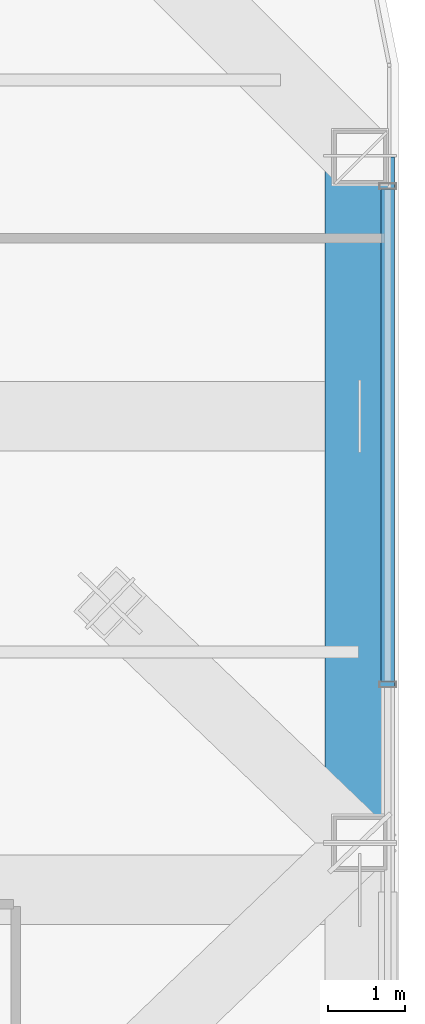
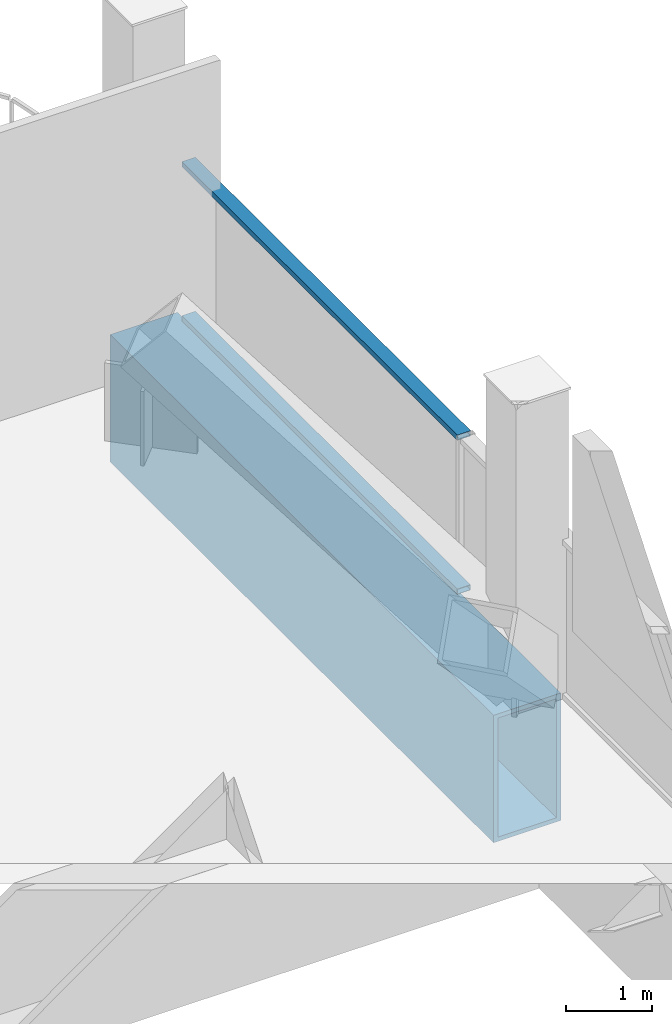
# One storey, part 10 of 19: 2 members, 1 beam, 1 element without a shape of its own.
"""IFC4 building model written with IfcOpenShell, lengths in metres."""

from ifc_helpers import new_model, si_unit, direction, frame, origin, origin_2d, place, context, subcontext, project, spatial, hollow_rectangle, extrude, material, layer, layer_set, material_profile, profile_set, type_object, element, aggregate, save


model = new_model("IFC4")

# Units and contexts
model_context = context("Model", 3, precision=1e-05, world=origin(), true_north=direction((0.0, 1.0)))
body_context = subcontext(model_context, "Body", "Model", "MODEL_VIEW")
ifc_project = project(units=[si_unit("LENGTHUNIT", "METRE"), si_unit("AREAUNIT", "SQUARE_METRE"), si_unit("VOLUMEUNIT", "CUBIC_METRE"), si_unit("PLANEANGLEUNIT", "RADIAN"), si_unit("MASSUNIT", "GRAM", prefix="KILO")], contexts=[model_context])

# Site, building, storey
site_placement = place(None, origin())
site = spatial("IfcSite", under=ifc_project, at=site_placement, CompositionType="ELEMENT")
building_placement = place(site_placement, origin())
building = spatial("IfcBuilding", under=site, at=building_placement, Name="Qhalaya Broadcast Tower", CompositionType="ELEMENT")
storey_placement = place(building_placement, frame((0.0, 0.0, 226.949951171875)))
storey = spatial("IfcBuildingStorey", under=building, at=storey_placement, Name="L67", CompositionType="ELEMENT", Elevation=226.949951171875)

# Beam
ifc_material_1 = material(Name="Structural Steel ASTM A572 Grade 50", Category="steel")
ifc_material_profile_1 = material_profile(ifc_material_1, hollow_rectangle(XDim=0.89990234375, YDim=1.800048828125, WallThickness=0.06005859375, at=origin_2d()), Name="BOX 900x1800x60")
ifc_profile_set_1 = profile_set([ifc_material_profile_1], Name="Structural Steel ASTM A572 Grade 50")
beam_type = type_object("IfcBeamType", Name="Block Cantilever Transfer Box Girder TG1", PredefinedType="USERDEFINED", material=ifc_profile_set_1)
beam_placement = place(storey_placement, frame((19.0, 4.433349609375, -1.08984375), z_axis=(0.0, 1.0, 0.0), x_axis=(-1.0, 0.0, 0.0)))
element("IfcBeam", 1, at=beam_placement, inside=storey, type_object=beam_type, Name="L67 TG1 L67-SPR-07", ObjectType="GIRDER", PredefinedType="USERDEFINED", context=body_context, shape_type="SweptSolid", body=[
    extrude(hollow_rectangle(XDim=0.89990234375, YDim=1.800048828125, WallThickness=0.06005859375, at=origin_2d()), origin(), (0.0, 0.0, 1.0), 8.86669921875),
])

# Curtain wall, members
ifc_material_2 = material(Name="Fired Architectural Terracotta", Category="masonry")
ifc_layer = layer(ifc_material_2, 0.219970703125, Name="Fired Architectural Terracotta")
ifc_layer_set = layer_set([ifc_layer], Name="Fired Architectural Terracotta")
curtain_wall_type = type_object("IfcCurtainWallType", Name="Block-Cap Unitised Terracotta Spandrel Wall CW-07", PredefinedType="NOTDEFINED", material=ifc_layer_set)
curtain_wall_placement = place(storey_placement, origin())
curtain_wall = element("IfcCurtainWall", 2, at=curtain_wall_placement, inside=storey, type_object=curtain_wall_type, Name="L67 Unitised Curtain Wall L67-CW-E", PredefinedType="NOTDEFINED")
ifc_material_3 = material(Name="Anodised Aluminium 6063-T6", Category="aluminium")
ifc_material_profile_2 = material_profile(ifc_material_3, hollow_rectangle(XDim=0.074951171875, YDim=0.179931640625, WallThickness=0.00390625, at=origin_2d()), Name="ALU-TRN 75x180x4")
ifc_profile_set_2 = profile_set([ifc_material_profile_2], Name="Anodised Aluminium 6063-T6")
member_type = type_object("IfcMemberType", Name="Unitised Curtain-Wall Transom T01", PredefinedType="USERDEFINED", material=ifc_profile_set_2)
member_1_placement = place(storey_placement, frame((19.360107421875, 12.886962890625, 0.03759765625), z_axis=(0.0, -1.0, 0.0), x_axis=(0.0, 0.0, 1.0)))
member_1 = element("IfcMember", 3, at=member_1_placement, type_object=member_type, Name="CW-07 transom 1.1", ObjectType="TRANSOM", PredefinedType="USERDEFINED", context=body_context, shape_type="SweptSolid", body=[
    extrude(hollow_rectangle(XDim=0.074951171875, YDim=0.179931640625, WallThickness=0.00390625, at=origin_2d()), origin(), (0.0, 0.0, 1.0), 6.368408203125),
])
member_2_placement = place(storey_placement, frame((19.360107421875, 12.886962890625, 2.212646484375), z_axis=(0.0, -1.0, 0.0), x_axis=(0.0, 0.0, 1.0)))
member_2 = element("IfcMember", 4, at=member_2_placement, type_object=member_type, Name="CW-07 transom 1.2", ObjectType="TRANSOM", PredefinedType="USERDEFINED", context=body_context, shape_type="SweptSolid", body=[
    extrude(hollow_rectangle(XDim=0.074951171875, YDim=0.179931640625, WallThickness=0.00390625, at=origin_2d()), origin(), (0.0, 0.0, 1.0), 6.368408203125),
])
aggregate(curtain_wall, [member_1, member_2])

save(model, "model.ifc")
